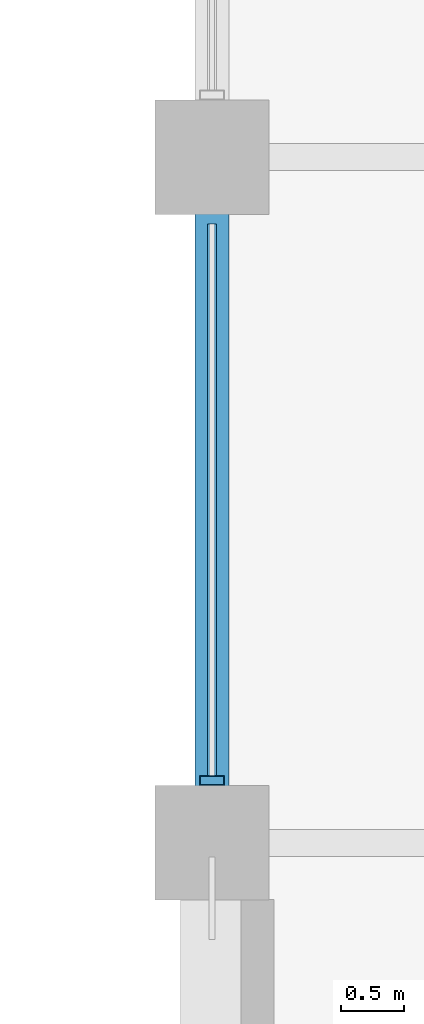
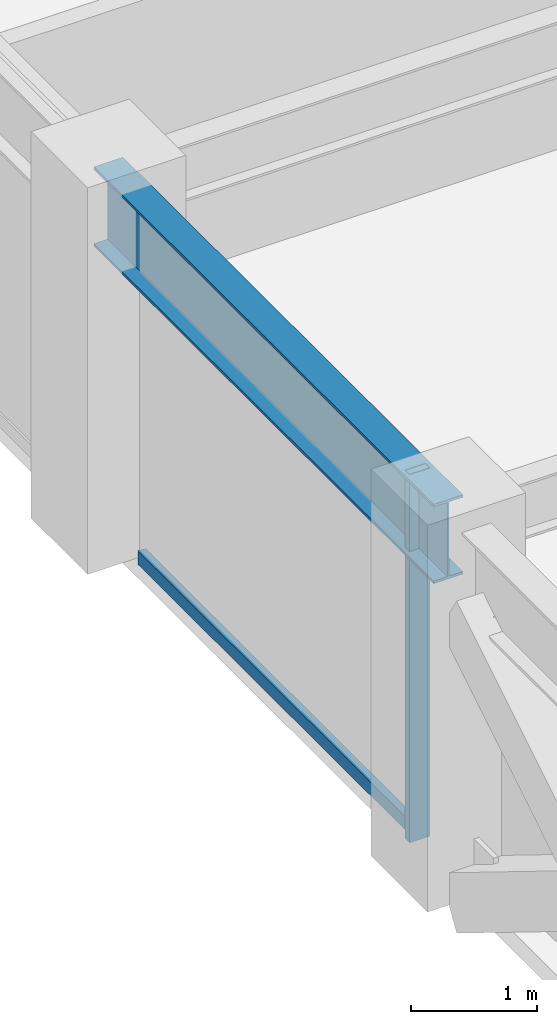
# One storey, part 4 of 32: 2 members, 1 beam, 1 element without a shape of its own.
"""IFC4 building model written with IfcOpenShell, lengths in metres."""

from ifc_helpers import new_model, si_unit, direction, frame, origin, origin_2d, place, context, subcontext, project, spatial, hollow_rectangle, i_section, extrude, material, layer, layer_set, material_profile, profile_set, type_object, element, aggregate, save


model = new_model("IFC4")

# Units and contexts
model_context = context("Model", 3, precision=1e-05, world=origin(), true_north=direction((0.0, 1.0)))
body_context = subcontext(model_context, "Body", "Model", "MODEL_VIEW")
ifc_project = project(units=[si_unit("LENGTHUNIT", "METRE"), si_unit("AREAUNIT", "SQUARE_METRE"), si_unit("VOLUMEUNIT", "CUBIC_METRE"), si_unit("PLANEANGLEUNIT", "RADIAN"), si_unit("MASSUNIT", "GRAM", prefix="KILO")], contexts=[model_context])

# Site, building, storey
site_placement = place(None, origin())
site = spatial("IfcSite", under=ifc_project, at=site_placement, CompositionType="ELEMENT")
building_placement = place(site_placement, origin())
building = spatial("IfcBuilding", under=site, at=building_placement, Name="Surkhivell Harbour Commons", CompositionType="ELEMENT")
storey_placement = place(building_placement, frame((0.0, 0.0, 186.0)))
storey = spatial("IfcBuildingStorey", under=building, at=storey_placement, Name="L48", CompositionType="ELEMENT", Elevation=186.0)

# Beam
ifc_material_1 = material(Name="Steel S355", Category="steel")
ifc_material_profile_1 = material_profile(ifc_material_1, i_section(OverallWidth=0.26806640625, OverallDepth=0.77001953125, WebThickness=0.015625, FlangeThickness=0.025390625, at=origin_2d()), Name="UB762x267x197")
ifc_profile_set_1 = profile_set([ifc_material_profile_1], Name="Steel S355")
beam_type = type_object("IfcBeamType", Name="BM-SPN-762", PredefinedType="SPANDREL", material=ifc_profile_set_1)
beam_placement = place(storey_placement, frame((-27.0, -10.800048828125, 3.18505859375), z_axis=(0.0, 1.0, 0.0), x_axis=(-1.0, 0.0, 0.0)))
element("IfcBeam", 1, at=beam_placement, inside=storey, type_object=beam_type, Name="L48 Tube Spandrel (-27.0,-10.8)", PredefinedType="SPANDREL", context=body_context, shape_type="SweptSolid", body=[
    extrude(i_section(OverallWidth=0.26806640625, OverallDepth=0.77001953125, WebThickness=0.015625, FlangeThickness=0.025390625, at=origin_2d()), origin(), (0.0, 0.0, 1.0), 5.400146484375),
])

# Curtain wall, members
ifc_material_2 = material(Name="Anodised pale-metal aluminium and insulated glazing", Category="aluminium")
ifc_layer = layer(ifc_material_2, 0.18994140625)
ifc_layer_set = layer_set([ifc_layer], Name="Anodised pale-metal aluminium and insulated glazing")
curtain_wall_type = type_object("IfcCurtainWallType", Name="CW-SYS-Z3", PredefinedType="NOTDEFINED", material=ifc_layer_set)
curtain_wall_placement = place(storey_placement, origin())
curtain_wall = element("IfcCurtainWall", 2, at=curtain_wall_placement, inside=storey, type_object=curtain_wall_type, Name="L48 Curtain Wall CW-L48-E12R1S1", PredefinedType="NOTDEFINED")
ifc_material_3 = material(Name="Anodised pale-metal aluminium alloy 6063-T6", Category="aluminium")
ifc_material_profile_2 = material_profile(ifc_material_3, hollow_rectangle(XDim=0.074951171875, YDim=0.18994140625, WallThickness=0.00390625, at=origin_2d()), Name="ALU-MULL-75x190")
ifc_profile_set_2 = profile_set([ifc_material_profile_2], Name="Anodised pale-metal aluminium alloy 6063-T6")
member_type_1 = type_object("IfcMemberType", Name="CWM-190", PredefinedType="MULLION", material=ifc_profile_set_2)
member_1_placement = place(storey_placement, frame((-27.0, -10.310546875, 0.0), z_axis=(0.0, 0.0, 1.0), x_axis=(0.0, 1.0, 0.0)))
member_1 = element("IfcMember", 3, at=member_1_placement, type_object=member_type_1, Name="CW-Z3 mullion 1", PredefinedType="MULLION", context=body_context, shape_type="SweptSolid", body=[
    extrude(hollow_rectangle(XDim=0.074951171875, YDim=0.18994140625, WallThickness=0.00390625, at=origin_2d()), origin(), (0.0, 0.0, 1.0), 3.570068359375),
])
ifc_material_4 = material(Name="Champagne anodised aluminium alloy 6063-T6", Category="aluminium")
ifc_material_profile_3 = material_profile(ifc_material_4, hollow_rectangle(XDim=0.070068359375, YDim=0.1298828125, WallThickness=0.00341796875, at=origin_2d()), Name="ALU-TRAN-70x130")
ifc_profile_set_3 = profile_set([ifc_material_profile_3], Name="Champagne anodised aluminium alloy 6063-T6")
member_type_2 = type_object("IfcMemberType", Name="CWT-130", PredefinedType="USERDEFINED", material=ifc_profile_set_3)
member_2_placement = place(storey_placement, frame((-27.0, -10.27294921875, 0.06494140625), z_axis=(0.0, 1.0, 0.0), x_axis=(-1.0, 0.0, 0.0)))
member_2 = element("IfcMember", 4, at=member_2_placement, type_object=member_type_2, Name="CW-Z3 transom 1.1", ObjectType="TRANSOM", PredefinedType="USERDEFINED", context=body_context, shape_type="SweptSolid", body=[
    extrude(hollow_rectangle(XDim=0.070068359375, YDim=0.1298828125, WallThickness=0.00341796875, at=origin_2d()), origin(), (0.0, 0.0, 1.0), 4.345947265625),
])
aggregate(curtain_wall, [member_1, member_2])

save(model, "model.ifc")
